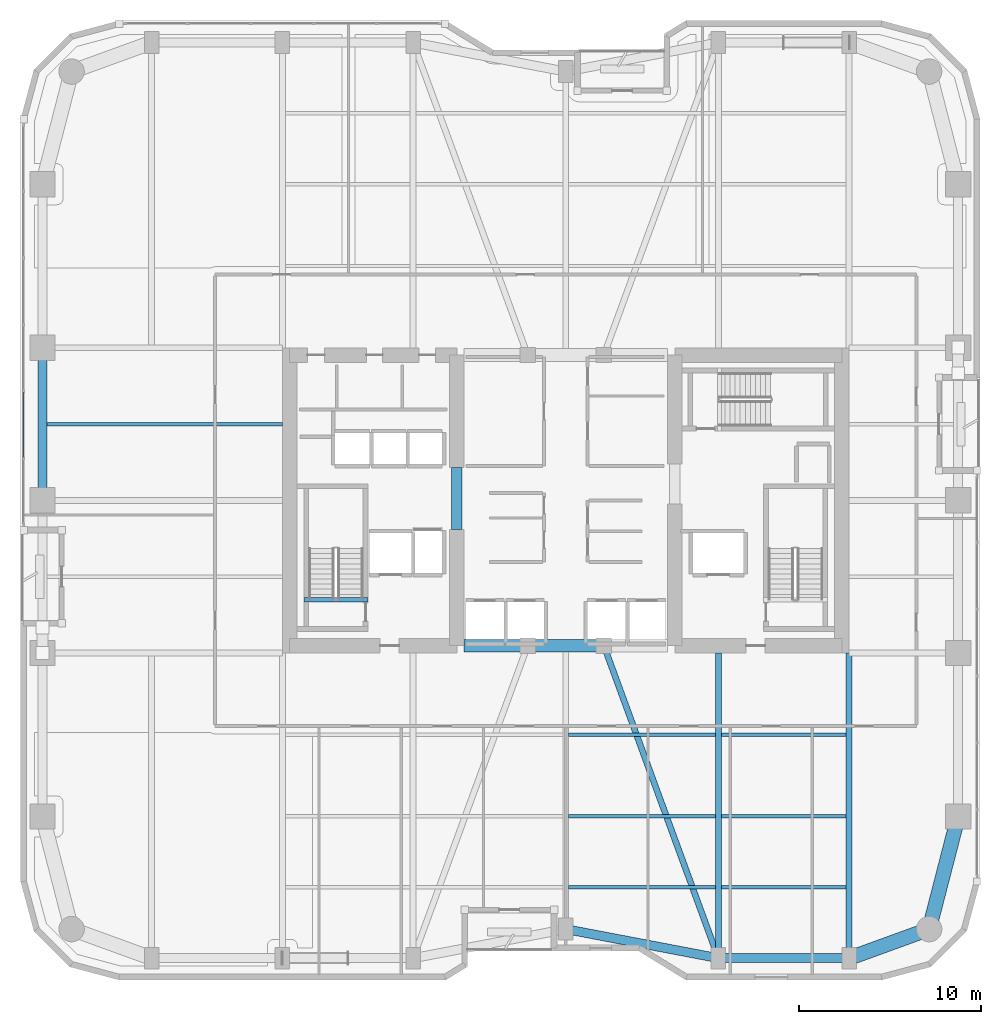
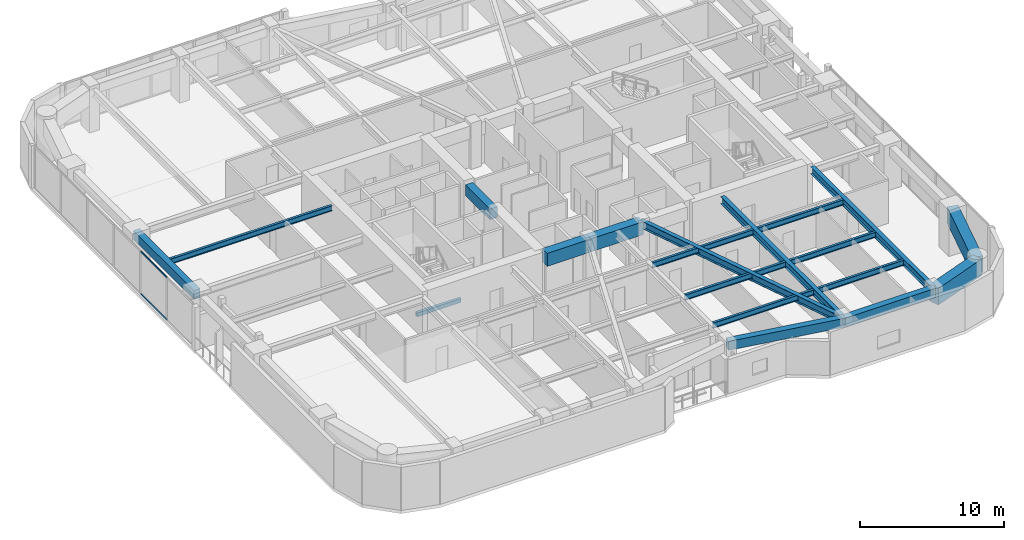
# One storey, part 3 of 24: 19 beams, 2 members, 1 element without a shape of its own.
"""IFC4 building model written with IfcOpenShell, lengths in metres."""

from ifc_helpers import new_model, si_unit, direction, frame, origin, origin_2d, place, context, subcontext, project, spatial, rectangle, hollow_rectangle, i_section, extrude, material, layer, layer_set, material_profile, profile_set, type_object, element, aggregate, save


model = new_model("IFC4")

# Units and contexts
model_context = context("Model", 3, precision=1e-05, world=origin(), true_north=direction((0.0, 1.0)))
body_context = subcontext(model_context, "Body", "Model", "MODEL_VIEW")
ifc_project = project(units=[si_unit("LENGTHUNIT", "METRE"), si_unit("AREAUNIT", "SQUARE_METRE"), si_unit("VOLUMEUNIT", "CUBIC_METRE"), si_unit("PLANEANGLEUNIT", "RADIAN"), si_unit("MASSUNIT", "GRAM", prefix="KILO")], contexts=[model_context])

# Site, building, storey
site_placement = place(None, origin())
site = spatial("IfcSite", under=ifc_project, at=site_placement, CompositionType="ELEMENT")
building_placement = place(site_placement, origin())
building = spatial("IfcBuilding", under=site, at=building_placement, Name="Kiyonajd Concourse Tower", CompositionType="ELEMENT")
storey_placement = place(building_placement, frame((0.0, 0.0, 109.199951171875)))
storey = spatial("IfcBuildingStorey", under=building, at=storey_placement, Name="L28", CompositionType="ELEMENT", Elevation=109.199951171875)

# Beams
ifc_material_1 = material(Name="Concrete C70/85", Category="concrete")
ifc_material_profile_1 = material_profile(ifc_material_1, rectangle(XDim=0.699951171875, YDim=1.10009765625, at=origin_2d()), Name="RCBM-700x1100")
ifc_profile_set_1 = profile_set([ifc_material_profile_1], Name="Concrete C70/85")
beam_type_1 = type_object("IfcBeamType", Name="BM-COUP-1100", PredefinedType="LINTEL", material=ifc_profile_set_1)
beam_1_placement = place(storey_placement, frame((42.39990234375, 28.0, 3.090087890625), z_axis=(1.0, 0.0, 0.0), x_axis=(0.0, 1.0, 0.0)))
element("IfcBeam", 1, at=beam_1_placement, inside=storey, type_object=beam_type_1, Name="L28 Core Coupling Beam S1", PredefinedType="LINTEL", context=body_context, shape_type="SweptSolid", body=[
    extrude(rectangle(XDim=0.699951171875, YDim=1.10009765625, at=origin_2d()), origin(), (0.0, 0.0, 1.0), 3.5),
])
beam_2_placement = place(storey_placement, frame((45.89990234375, 28.0, 3.090087890625), z_axis=(1.0, 0.0, 0.0), x_axis=(0.0, 1.0, 0.0)))
element("IfcBeam", 2, at=beam_2_placement, inside=storey, type_object=beam_type_1, Name="L28 Core Coupling Beam S2", PredefinedType="LINTEL", context=body_context, shape_type="SweptSolid", body=[
    extrude(rectangle(XDim=0.699951171875, YDim=1.10009765625, at=origin_2d()), origin(), (0.0, 0.0, 1.0), 4.2001953125),
])
ifc_material_2 = material(Name="Concrete C60/75", Category="concrete")
ifc_material_profile_2 = material_profile(ifc_material_2, rectangle(XDim=0.60009765625, YDim=0.89990234375, at=origin_2d()), Name="RCBM-600x900")
ifc_profile_set_2 = profile_set([ifc_material_profile_2], Name="Concrete C60/75")
beam_type_2 = type_object("IfcBeamType", Name="BM-COUP-900", PredefinedType="LINTEL", material=ifc_profile_set_2)
beam_3_placement = place(storey_placement, frame((42.0, 34.39990234375, 3.090087890625), z_axis=(0.0, 1.0, 0.0), x_axis=(-1.0, 0.0, 0.0)))
element("IfcBeam", 3, at=beam_3_placement, inside=storey, type_object=beam_type_2, Name="L28 West Core Throat Coupling Lintel", PredefinedType="LINTEL", context=body_context, shape_type="SweptSolid", body=[
    extrude(rectangle(XDim=0.60009765625, YDim=0.89990234375, at=origin_2d()), origin(), (0.0, 0.0, 1.0), 3.400146484375),
])
ifc_material_3 = material(Name="Steel ASTM A992 Grade 50", Category="steel")
ifc_material_profile_3 = material_profile(ifc_material_3, i_section(OverallWidth=0.19189453125, OverallDepth=0.462890625, WebThickness=0.010498046875, FlangeThickness=0.017578125, at=origin_2d()), Name="W460X89")
ifc_profile_set_3 = profile_set([ifc_material_profile_3], Name="Steel ASTM A992 Grade 50")
beam_type_3 = type_object("IfcBeamType", Name="BM-JST-460B", PredefinedType="JOIST", material=ifc_profile_set_3)
beam_4_placement = place(storey_placement, frame((48.16357421875, 14.699951171875, 3.408447265625), z_axis=(1.0, 0.0, 0.0), x_axis=(0.0, 1.0, 0.0)))
element("IfcBeam", 4, at=beam_4_placement, inside=storey, type_object=beam_type_3, Name="L28 Secondary Floor Joist", PredefinedType="JOIST", context=body_context, shape_type="SweptSolid", body=[
    extrude(i_section(OverallWidth=0.19189453125, OverallDepth=0.462890625, WebThickness=0.010498046875, FlangeThickness=0.017578125, at=origin_2d()), origin(), (0.0, 0.0, 1.0), 8.072998046875),
])
beam_5_placement = place(storey_placement, frame((56.5634765625, 14.699951171875, 3.408447265625), z_axis=(1.0, 0.0, 0.0), x_axis=(0.0, 1.0, 0.0)))
element("IfcBeam", 5, at=beam_5_placement, inside=storey, type_object=beam_type_3, Name="L28 Secondary Floor Joist", PredefinedType="JOIST", context=body_context, shape_type="SweptSolid", body=[
    extrude(i_section(OverallWidth=0.19189453125, OverallDepth=0.462890625, WebThickness=0.010498046875, FlangeThickness=0.017578125, at=origin_2d()), origin(), (0.0, 0.0, 1.0), 6.873046875),
])
beam_6_placement = place(storey_placement, frame((48.16357421875, 18.60009765625, 3.408447265625), z_axis=(1.0, 0.0, 0.0), x_axis=(0.0, 1.0, 0.0)))
element("IfcBeam", 6, at=beam_6_placement, inside=storey, type_object=beam_type_3, Name="L28 Secondary Floor Joist", PredefinedType="JOIST", context=body_context, shape_type="SweptSolid", body=[
    extrude(i_section(OverallWidth=0.19189453125, OverallDepth=0.462890625, WebThickness=0.010498046875, FlangeThickness=0.017578125, at=origin_2d()), origin(), (0.0, 0.0, 1.0), 8.072998046875),
])
beam_7_placement = place(storey_placement, frame((56.5634765625, 18.60009765625, 3.408447265625), z_axis=(1.0, 0.0, 0.0), x_axis=(0.0, 1.0, 0.0)))
element("IfcBeam", 7, at=beam_7_placement, inside=storey, type_object=beam_type_3, Name="L28 Secondary Floor Joist", PredefinedType="JOIST", context=body_context, shape_type="SweptSolid", body=[
    extrude(i_section(OverallWidth=0.19189453125, OverallDepth=0.462890625, WebThickness=0.010498046875, FlangeThickness=0.017578125, at=origin_2d()), origin(), (0.0, 0.0, 1.0), 6.873046875),
])
beam_8_placement = place(storey_placement, frame((48.16357421875, 23.10009765625, 3.408447265625), z_axis=(1.0, 0.0, 0.0), x_axis=(0.0, 1.0, 0.0)))
element("IfcBeam", 8, at=beam_8_placement, inside=storey, type_object=beam_type_3, Name="L28 Secondary Floor Joist", PredefinedType="JOIST", context=body_context, shape_type="SweptSolid", body=[
    extrude(i_section(OverallWidth=0.19189453125, OverallDepth=0.462890625, WebThickness=0.010498046875, FlangeThickness=0.017578125, at=origin_2d()), origin(), (0.0, 0.0, 1.0), 8.072998046875),
])
beam_9_placement = place(storey_placement, frame((56.5634765625, 23.10009765625, 3.408447265625), z_axis=(1.0, 0.0, 0.0), x_axis=(0.0, 1.0, 0.0)))
element("IfcBeam", 9, at=beam_9_placement, inside=storey, type_object=beam_type_3, Name="L28 Secondary Floor Joist", PredefinedType="JOIST", context=body_context, shape_type="SweptSolid", body=[
    extrude(i_section(OverallWidth=0.19189453125, OverallDepth=0.462890625, WebThickness=0.010498046875, FlangeThickness=0.017578125, at=origin_2d()), origin(), (0.0, 0.0, 1.0), 6.873046875),
])
beam_10_placement = place(storey_placement, frame((19.449951171875, 40.199951171875, 3.408447265625), z_axis=(1.0, 0.0, 0.0), x_axis=(0.0, 1.0, 0.0)))
element("IfcBeam", 10, at=beam_10_placement, inside=storey, type_object=beam_type_3, Name="L28 West Secondary Floor Joist", PredefinedType="JOIST", context=body_context, shape_type="SweptSolid", body=[
    extrude(i_section(OverallWidth=0.19189453125, OverallDepth=0.462890625, WebThickness=0.010498046875, FlangeThickness=0.017578125, at=origin_2d()), origin(), (0.0, 0.0, 1.0), 12.949951171875),
])
ifc_material_4 = material(Name="Concrete C50/60", Category="concrete")
ifc_material_profile_4 = material_profile(ifc_material_4, rectangle(XDim=0.239990234375, YDim=0.320068359375, at=origin_2d()), Name="RCBM-240x320")
ifc_profile_set_4 = profile_set([ifc_material_profile_4], Name="Concrete C50/60")
beam_type_4 = type_object("IfcBeamType", Name="BM-LNT-250", PredefinedType="LINTEL", material=ifc_profile_set_4)
beam_11_placement = place(storey_placement, frame((33.590087890625, 30.530029296875, -0.159912109375), z_axis=(1.0, 0.0, 0.0), x_axis=(0.0, 1.0, 0.0)))
element("IfcBeam", 11, at=beam_11_placement, inside=storey, type_object=beam_type_4, Name="L28 Stair ST1 Threshold Support Beam", PredefinedType="LINTEL", context=body_context, shape_type="SweptSolid", body=[
    extrude(rectangle(XDim=0.239990234375, YDim=0.320068359375, at=origin_2d()), origin(), (0.0, 0.0, 1.0), 3.52001953125),
])
ifc_material_5 = material(Name="Precast concrete C50/60", Category="concrete")
ifc_material_profile_5 = material_profile(ifc_material_5, rectangle(XDim=0.5, YDim=0.75, at=origin_2d()), Name="RCBM-500x750")
ifc_profile_set_5 = profile_set([ifc_material_profile_5], Name="Precast concrete C50/60")
beam_type_5 = type_object("IfcBeamType", Name="BM-SPAN-RC", PredefinedType="SPANDREL", material=ifc_profile_set_5)
beam_12_placement = place(storey_placement, frame((48.0, 12.39990234375, 3.26513671875), z_axis=(0.982341315253, -0.187097675953, 0.0), x_axis=(0.187097675953, 0.982341315253, 0.0)))
element("IfcBeam", 12, at=beam_12_placement, inside=storey, type_object=beam_type_5, Name="L28 Perimeter Bundled Tube Spandrel", PredefinedType="SPANDREL", context=body_context, shape_type="SweptSolid", body=[
    extrude(rectangle(XDim=0.5, YDim=0.75, at=origin_2d()), origin(), (0.0, 0.0, 1.0), 8.55078125),
])
beam_13_placement = place(storey_placement, frame((56.39990234375, 10.800048828125, 3.26513671875), z_axis=(1.0, 0.0, 0.0), x_axis=(0.0, 1.0, 0.0)))
element("IfcBeam", 13, at=beam_13_placement, inside=storey, type_object=beam_type_5, Name="L28 Perimeter Bundled Tube Spandrel", PredefinedType="SPANDREL", context=body_context, shape_type="SweptSolid", body=[
    extrude(rectangle(XDim=0.5, YDim=0.75, at=origin_2d()), origin(), (0.0, 0.0, 1.0), 7.2001953125),
])
beam_14_placement = place(storey_placement, frame((19.199951171875, 44.39990234375, 3.26513671875), z_axis=(0.0, -1.0, 0.0), x_axis=(1.0, 0.0, 0.0)))
element("IfcBeam", 14, at=beam_14_placement, inside=storey, type_object=beam_type_5, Name="L28 Perimeter Bundled Tube Spandrel", PredefinedType="SPANDREL", context=body_context, shape_type="SweptSolid", body=[
    extrude(rectangle(XDim=0.5, YDim=0.75, at=origin_2d()), origin(), (0.0, 0.0, 1.0), 8.39990234375),
])
ifc_material_profile_6 = material_profile(ifc_material_3, i_section(OverallWidth=0.326904296875, OverallDepth=0.6220703125, WebThickness=0.015380859375, FlangeThickness=0.0244140625, at=origin_2d()), Name="W610X195")
ifc_profile_set_6 = profile_set([ifc_material_profile_6], Name="Steel ASTM A992 Grade 50")
beam_type_6 = type_object("IfcBeamType", Name="BM-TWR-610A", PredefinedType="BEAM", material=ifc_profile_set_6)
beam_15_placement = place(storey_placement, frame((50.10009765625, 28.0, 3.3291015625), z_axis=(0.343925269715, -0.938997022813, 0.0), x_axis=(0.938997022813, 0.343925269715, 0.0)))
element("IfcBeam", 15, at=beam_15_placement, inside=storey, type_object=beam_type_6, Name="L28 Core Tie Girder", PredefinedType="BEAM", context=body_context, shape_type="SweptSolid", body=[
    extrude(i_section(OverallWidth=0.326904296875, OverallDepth=0.6220703125, WebThickness=0.015380859375, FlangeThickness=0.0244140625, at=origin_2d()), origin(), (0.0, 0.0, 1.0), 18.3173828125),
])
for number, where, z_axis, x_axis, name in (
    (16, (56.39990234375, 10.800048828125, 3.3291015625), (0.0, 1.0, 0.0), (-1.0, 0.0, 0.0), "L28 South Lease Girder"),
    (17, (63.60009765625, 10.800048828125, 3.3291015625), (0.0, 1.0, 0.0), (-1.0, 0.0, 0.0), "L28 South Lease Girder"),
):
    element("IfcBeam", number, at=place(storey_placement, frame(where, z_axis=z_axis, x_axis=x_axis)), inside=storey, type_object=beam_type_6, Name=name, PredefinedType="BEAM", context=body_context, shape_type="SweptSolid", body=[
        extrude(i_section(OverallWidth=0.326904296875, OverallDepth=0.6220703125, WebThickness=0.015380859375, FlangeThickness=0.0244140625, at=origin_2d()), origin(), (0.0, 0.0, 1.0), 16.800048828125),
    ])
ifc_material_profile_7 = material_profile(ifc_material_2, rectangle(XDim=0.800048828125, YDim=1.39990234375, at=origin_2d()), Name="RCBM-800x1400")
ifc_profile_set_7 = profile_set([ifc_material_profile_7], Name="Concrete C60/75")
beam_type_7 = type_object("IfcBeamType", Name="BM-XFER-RC", PredefinedType="BEAM", material=ifc_profile_set_7)
beam_16_placement = place(storey_placement, frame((63.60009765625, 10.800048828125, 2.93994140625), z_axis=(0.939801036019, 0.341722127901, 0.0), x_axis=(-0.341722127901, 0.939801036019, 0.0)))
element("IfcBeam", 18, at=beam_16_placement, inside=storey, type_object=beam_type_7, Name="L28 Perimeter Bundled Tube Spandrel", PredefinedType="BEAM", context=body_context, shape_type="SweptSolid", body=[
    extrude(rectangle(XDim=0.800048828125, YDim=1.39990234375, at=origin_2d()), origin(), (0.0, 0.0, 1.0), 4.681640625),
])
beam_17_placement = place(storey_placement, frame((68.0, 12.39990234375, 2.93994140625), z_axis=(0.249884937687, 0.968275538221, 0.0), x_axis=(-0.968275538221, 0.249884937687, 0.0)))
element("IfcBeam", 19, at=beam_17_placement, inside=storey, type_object=beam_type_7, Name="L28 Perimeter Bundled Tube Spandrel", PredefinedType="BEAM", context=body_context, shape_type="SweptSolid", body=[
    extrude(rectangle(XDim=0.800048828125, YDim=1.39990234375, at=origin_2d()), origin(), (0.0, 0.0, 1.0), 6.4033203125),
])

# Curtain wall, members
ifc_material_6 = material(Name="Thermally Broken Anodised Aluminium", Category="aluminium")
ifc_layer = layer(ifc_material_6, 0.179931640625)
ifc_layer_set = layer_set([ifc_layer], Name="Thermally Broken Anodised Aluminium")
curtain_wall_type = type_object("IfcCurtainWallType", Name="CW-SYS-03", PredefinedType="NOTDEFINED", material=ifc_layer_set)
curtain_wall_placement = place(storey_placement, origin())
curtain_wall = element("IfcCurtainWall", 20, at=curtain_wall_placement, inside=storey, type_object=curtain_wall_type, Name="L28 Unitised Curtain Wall CW3", PredefinedType="NOTDEFINED")
ifc_material_profile_8 = material_profile(ifc_material_6, hollow_rectangle(XDim=0.06494140625, YDim=0.139892578125, WallThickness=0.00390625, at=origin_2d()), Name="TRAN-65x140")
ifc_profile_set_8 = profile_set([ifc_material_profile_8], Name="Thermally Broken Anodised Aluminium")
member_type = type_object("IfcMemberType", Name="MB-CW-TRAN1", PredefinedType="USERDEFINED", material=ifc_profile_set_8)
member_1_placement = place(storey_placement, frame((18.159912109375, 38.355712890625, 0.032470703125), z_axis=(0.0, 1.0, 0.0), x_axis=(-1.0, 0.0, 0.0)))
member_1 = element("IfcMember", 21, at=member_1_placement, type_object=member_type, Name="CW3 transom 2.1", ObjectType="TRANSOM", PredefinedType="USERDEFINED", context=body_context, shape_type="SweptSolid", body=[
    extrude(hollow_rectangle(XDim=0.06494140625, YDim=0.139892578125, WallThickness=0.00390625, at=origin_2d()), origin(), (0.0, 0.0, 1.0), 3.608154296875),
])
member_2_placement = place(storey_placement, frame((18.159912109375, 38.355712890625, 3.607666015625), z_axis=(0.0, 1.0, 0.0), x_axis=(-1.0, 0.0, 0.0)))
member_2 = element("IfcMember", 22, at=member_2_placement, type_object=member_type, Name="CW3 transom 2.2", ObjectType="TRANSOM", PredefinedType="USERDEFINED", context=body_context, shape_type="SweptSolid", body=[
    extrude(hollow_rectangle(XDim=0.06494140625, YDim=0.139892578125, WallThickness=0.00390625, at=origin_2d()), origin(), (0.0, 0.0, 1.0), 3.608154296875),
])
aggregate(curtain_wall, [member_1, member_2])

save(model, "model.ifc")
